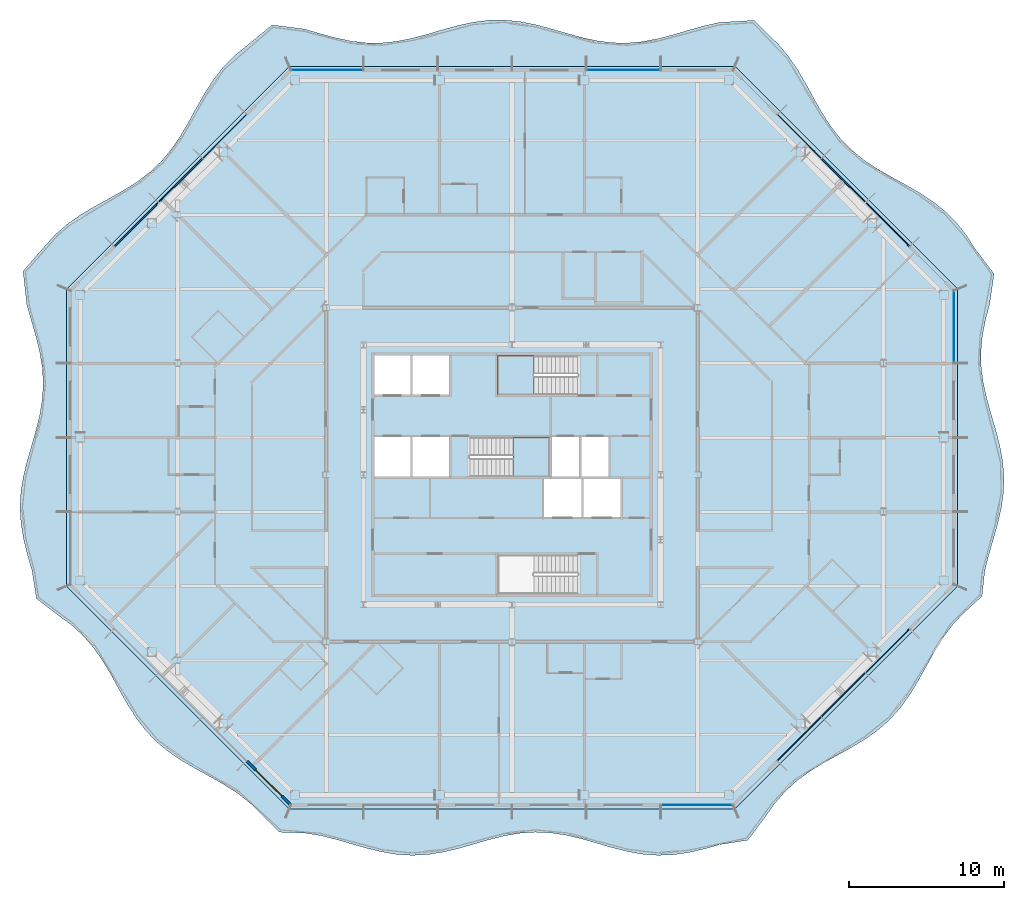
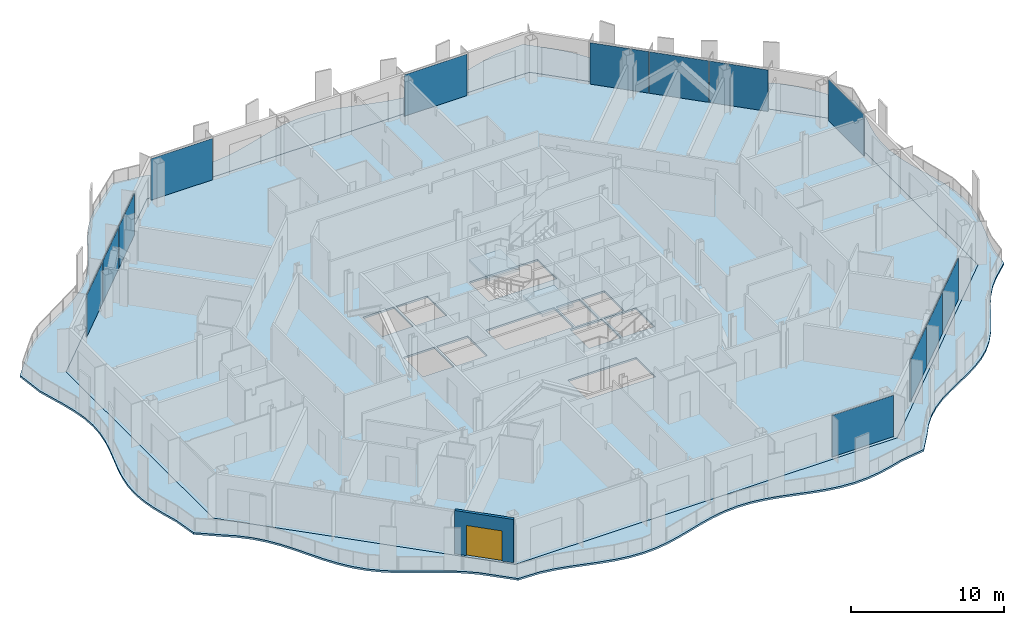
# One storey, part 6 of 21: 13 plates, 4 slabs, 1 door, 1 wall, 1 opening, 8 elements without a shape of their own.
"""IFC4 building model written with IfcOpenShell, lengths in metres."""

from ifc_helpers import new_model, si_unit, direction, frame, frame_2d, origin, origin_2d, place, context, subcontext, project, spatial, polyline, rectangle, outline, extrude, material, layer, layer_set, type_object, element, fill, aggregate, save


model = new_model("IFC4")

# Units and contexts
model_context = context("Model", 3, precision=1e-05, world=origin(), true_north=direction((0.0, 1.0)))
body_context = subcontext(model_context, "Body", "Model", "MODEL_VIEW")
ifc_project = project(units=[si_unit("LENGTHUNIT", "METRE"), si_unit("AREAUNIT", "SQUARE_METRE"), si_unit("VOLUMEUNIT", "CUBIC_METRE"), si_unit("PLANEANGLEUNIT", "RADIAN"), si_unit("MASSUNIT", "GRAM", prefix="KILO")], contexts=[model_context])

# Site, building, storey
site_placement = place(None, origin())
site = spatial("IfcSite", under=ifc_project, at=site_placement, CompositionType="ELEMENT")
building_placement = place(site_placement, origin())
building = spatial("IfcBuilding", under=site, at=building_placement, Name="Cairn Pilgrim Tower", CompositionType="ELEMENT")
storey_placement = place(building_placement, frame((0.0, 0.0, 154.199951171875)))
storey = spatial("IfcBuildingStorey", under=building, at=storey_placement, Name="L38", CompositionType="ELEMENT", Elevation=154.199951171875)

# Slabs
ifc_material_1 = material(Name="Concrete C35/45", Category="concrete")
ifc_layer_1 = layer(ifc_material_1, 0.14990234375)
ifc_layer_set_1 = layer_set([ifc_layer_1], Name="BALCONY SLAB 150 CONCRETE C35/45")
slab_type_1 = type_object("IfcSlabType", Name="BALCONY SLAB 150 CONCRETE C35/45", PredefinedType="FLOOR", material=ifc_layer_set_1)
slab_1_placement = place(storey_placement, frame((0.0, 0.0, -0.14990234375)))
element("IfcSlab", 1, at=slab_1_placement, inside=storey, type_object=slab_type_1, Name="Balcony slab BS-1", PredefinedType="FLOOR", context=body_context, shape_type="SweptSolid", body=[
    extrude(outline(polyline([(-8.988525390625, -19.548583984375), (-7.8212890625, -20.699951171875), (-6.206787109375, -20.75634765625), (-5.2138671875, -20.916748046875), (-4.220703125, -21.157470703125), (-3.2275390625, -21.44189453125), (-2.234375, -21.7275390625), (-1.241455078125, -21.9716796875), (-0.248291015625, -22.137451171875), (0.744873046875, -22.19970703125), (1.738037109375, -22.149658203125), (2.73095703125, -21.994384765625), (3.72412109375, -21.757568359375), (4.71728515625, -21.474365234375), (5.71044921875, -21.1875), (6.703369140625, -20.940185546875), (7.696533203125, -20.769287109375), (8.689697265625, -20.70068359375), (9.682861328125, -20.74462890625), (10.67578125, -20.89453125), (11.6689453125, -21.127685546875), (12.662109375, -21.409423828125), (13.6552734375, -21.697265625), (14.648193359375, -21.94775390625), (15.641357421875, -22.123779296875), (16.634521484375, -22.198486328125), (17.627685546875, -22.16064453125), (18.62060546875, -22.016357421875), (19.61376953125, -21.786865234375), (20.60693359375, -21.5068359375), (22.43603515625, -21.21826171875), (23.563720703125, -19.7236328125), (24.155029296875, -18.875), (24.821533203125, -18.1015625), (25.571533203125, -17.41162109375), (26.400390625, -16.80029296875), (27.290771484375, -16.250732421875), (28.2158203125, -15.73583984375), (29.1435546875, -15.223388671875), (30.040771484375, -14.6806640625), (30.879638671875, -14.07958984375), (31.641357421875, -13.4013671875), (32.3193359375, -12.639404296875), (32.92041015625, -11.800537109375), (33.46337890625, -10.9033203125), (33.9755859375, -9.9755859375), (34.490478515625, -9.050537109375), (35.0400390625, -8.16015625), (35.6513671875, -7.33154296875), (36.341552734375, -6.58154296875), (37.5771484375, -5.453369140625), (37.75732421875, -3.78955078125), (38.01416015625, -2.779052734375), (38.307861328125, -1.768310546875), (38.59228515625, -0.7578125), (38.823486328125, 0.252685546875), (38.9658203125, 1.26318359375), (38.996826171875, 2.273681640625), (38.91162109375, 3.2841796875), (38.7236328125, 4.294677734375), (38.462158203125, 5.30517578125), (38.16748046875, 6.315673828125), (37.8857421875, 7.326416015625), (37.66064453125, 8.3369140625), (37.527099609375, 9.347412109375), (37.506103515625, 10.35791015625), (37.600341796875, 11.368408203125), (37.7958984375, 12.37890625), (38.061767578125, 13.389404296875), (38.35693359375, 15.376220703125), (37.14501953125, 16.985107421875), (36.580078125, 17.860107421875), (35.947509765625, 18.66748046875), (35.2333984375, 19.3935546875), (34.43701171875, 20.036865234375), (33.570068359375, 20.610107421875), (32.656005859375, 21.135986328125), (31.725341796875, 21.645263671875), (30.811279296875, 22.17138671875), (29.944580078125, 22.74462890625), (29.1484375, 23.388427734375), (28.4345703125, 24.114501953125), (27.80224609375, 24.922119140625), (27.237548828125, 25.79736328125), (26.7158203125, 26.7158203125), (26.206298828125, 27.646240234375), (25.675048828125, 28.55517578125), (25.093017578125, 29.4130859375), (24.43798828125, 30.197998046875), (22.830078125, 31.76953125), (20.60693359375, 31.634765625), (19.61376953125, 31.412353515625), (18.62060546875, 31.135498046875), (17.627685546875, 30.845947265625), (16.634521484375, 30.5869140625), (15.641357421875, 30.3974609375), (14.648193359375, 30.305908203125), (13.6552734375, 30.326171875), (12.662109375, 30.455078125), (11.6689453125, 30.67333984375), (10.67578125, 30.9482421875), (9.682861328125, 31.23828125), (8.689697265625, 31.500244140625), (7.696533203125, 31.694580078125), (6.703369140625, 31.7919921875), (5.71044921875, 31.77783203125), (4.71728515625, 31.654541015625), (3.72412109375, 31.440673828125), (2.73095703125, 31.167724609375), (1.738037109375, 30.87744140625), (0.744873046875, 30.61279296875), (-0.248291015625, 30.4140625), (-1.241455078125, 30.310546875), (-2.234375, 30.318359375), (-3.2275390625, 30.435791015625), (-4.220703125, 30.645751953125), (-5.2138671875, 30.916259765625), (-6.206787109375, 31.206787109375), (-8.3076171875, 31.473876953125), (-9.957275390625, 30.117431640625), (-10.753662109375, 29.4736328125), (-11.467529296875, 28.747314453125), (-12.099853515625, 27.939697265625), (-12.66455078125, 27.064453125), (-13.18603515625, 26.14599609375), (-13.69580078125, 25.215576171875), (-14.226806640625, 24.306640625), (-14.808837890625, 23.448974609375), (-15.464111328125, 22.6640625), (-16.202392578125, 21.96240234375), (-17.020751953125, 21.3408203125), (-17.904052734375, 20.783935546875), (-18.826171875, 20.26611328125), (-19.75537109375, 19.75537109375), (-20.65869140625, 19.21875), (-21.507080078125, 18.627197265625), (-22.280517578125, 17.96044921875), (-22.97021484375, 17.210205078125), (-24.40185546875, 15.560546875), (-24.162841796875, 13.389404296875), (-23.875, 12.37890625), (-23.583251953125, 11.368408203125), (-23.333251953125, 10.35791015625), (-23.163330078125, 9.347412109375), (-23.10009765625, 8.3369140625), (-23.153564453125, 7.326416015625), (-23.315185546875, 6.315673828125), (-23.559814453125, 5.30517578125), (-23.849853515625, 4.294677734375), (-24.1396484375, 3.2841796875), (-24.384521484375, 2.273681640625), (-24.54638671875, 1.26318359375), (-24.599853515625, 0.252685546875), (-24.536865234375, -0.7578125), (-24.3671875, -1.768310546875), (-24.116943359375, -2.779052734375), (-23.825439453125, -3.78955078125), (-23.53759765625, -5.6025390625), (-22.079833984375, -6.7197265625), (-21.251220703125, -7.331298828125), (-20.50146484375, -8.021484375), (-19.83544921875, -8.79541015625), (-19.244140625, -9.644287109375), (-18.707763671875, -10.5478515625), (-18.197021484375, -11.47705078125), (-17.67919921875, -12.399169921875), (-17.1220703125, -13.281982421875), (-16.5, -14.10009765625), (-15.7978515625, -14.837890625), (-15.012451171875, -15.492431640625), (-14.154296875, -16.07421875), (-13.2451171875, -16.60498046875), (-12.314697265625, -17.11474609375), (-11.396484375, -17.636474609375), (-10.521484375, -18.201416015625), (-9.71435546875, -18.834228515625), (-8.988525390625, -19.548583984375)]), holes=[polyline([(21.60009765625, -19.199951171875), (-7.199951171875, -19.199951171875), (-21.60009765625, -4.800048828125), (-21.60009765625, 14.39990234375), (-7.199951171875, 28.800048828125), (21.60009765625, 28.800048828125), (36.0, 14.39990234375), (36.0, -4.800048828125), (21.60009765625, -19.199951171875)])]), origin(), (0.0, 0.0, 1.0), 0.14990234375),
])
ifc_layer_2 = layer(ifc_material_1, 0.14990234375)
ifc_layer_set_2 = layer_set([ifc_layer_2], Name="COMPOSITE FLOOR SLAB 150")
slab_type_2 = type_object("IfcSlabType", Name="COMPOSITE FLOOR SLAB 150", PredefinedType="FLOOR", material=ifc_layer_set_2)
slab_2_placement = place(storey_placement, frame((0.0, 0.0, -0.14990234375)))
element("IfcSlab", 2, at=slab_2_placement, inside=storey, type_object=slab_type_2, Name="FLOOR SLAB L38", PredefinedType="FLOOR", context=body_context, shape_type="SweptSolid", body=[
    extrude(outline(polyline([(-7.199951171875, -19.199951171875), (21.60009765625, -19.199951171875), (36.0, -4.800048828125), (36.0, 14.39990234375), (21.60009765625, 28.800048828125), (-7.199951171875, 28.800048828125), (-21.60009765625, 14.39990234375), (-21.60009765625, -4.800048828125), (-7.199951171875, -19.199951171875)]), holes=[polyline([(9.27490234375, -0.324951171875), (11.675048828125, -0.324951171875), (11.675048828125, 2.125), (9.27490234375, 2.125), (9.27490234375, -0.324951171875)]), polyline([(11.824951171875, -0.324951171875), (14.22509765625, -0.324951171875), (14.22509765625, 2.125), (11.824951171875, 2.125), (11.824951171875, -0.324951171875)]), polyline([(-1.72509765625, 2.27490234375), (0.625, 2.27490234375), (0.625, 4.824951171875), (-1.72509765625, 4.824951171875), (-1.72509765625, 2.27490234375)]), polyline([(0.77490234375, 2.27490234375), (3.125, 2.27490234375), (3.125, 4.824951171875), (0.77490234375, 4.824951171875), (0.77490234375, 2.27490234375)]), polyline([(-1.72509765625, 7.574951171875), (0.625, 7.574951171875), (0.625, 10.10009765625), (-1.72509765625, 10.10009765625), (-1.72509765625, 7.574951171875)]), polyline([(0.77490234375, 7.574951171875), (3.125, 7.574951171875), (3.125, 10.10009765625), (0.77490234375, 10.10009765625), (0.77490234375, 7.574951171875)]), polyline([(9.77490234375, 2.27490234375), (11.52490234375, 2.27490234375), (11.52490234375, 4.824951171875), (9.77490234375, 4.824951171875), (9.77490234375, 2.27490234375)]), polyline([(11.675048828125, 2.27490234375), (13.425048828125, 2.27490234375), (13.425048828125, 4.824951171875), (11.675048828125, 4.824951171875), (11.675048828125, 2.27490234375)]), polyline([(11.424560546875, -2.77490234375), (6.27490234375, -2.77490234375), (6.27490234375, -5.300048828125), (11.424560546875, -5.300048828125), (11.424560546875, -2.77490234375)]), polyline([(4.4755859375, 2.27490234375), (9.625, 2.27490234375), (9.625, 4.824951171875), (4.4755859375, 4.824951171875), (4.4755859375, 2.27490234375)]), polyline([(11.424560546875, 10.10009765625), (6.27490234375, 10.10009765625), (6.27490234375, 7.574951171875), (11.424560546875, 7.574951171875), (11.424560546875, 10.10009765625)])]), origin(), (0.0, 0.0, 1.0), 0.14990234375),
])

# Curtain wall, plates
ifc_material_2 = material(Name="Aluminium alloy 6063-T6 bronze anodised with Bronze tinted laminated low-E glass 8+16+8.8", Category="aluminium")
curtain_wall_type_1 = type_object("IfcCurtainWallType", Name="CHAMFER CORNER CURTAIN WALL", PredefinedType="NOTDEFINED", material=ifc_material_2)
curtain_wall_1_placement = place(storey_placement, origin())
curtain_wall_1 = element("IfcCurtainWall", 3, at=curtain_wall_1_placement, inside=storey, type_object=curtain_wall_type_1, Name="Chamfer Corner Curtain Wall SE", PredefinedType="NOTDEFINED")
ifc_material_3 = material(Name="Bronze anodised aluminium spandrel panel with mineral wool insulation", Category="aluminium")
ifc_layer_3 = layer(ifc_material_3, 0.06005859375)
ifc_layer_set_3 = layer_set([ifc_layer_3], Name="SPANDREL PANEL 3972x3300")
plate_type_1 = type_object("IfcPlateType", Name="SPANDREL PANEL 3972x3300", PredefinedType="CURTAIN_PANEL", material=ifc_layer_set_3)
plate_1_placement = place(storey_placement, frame((25.7724609375, -14.673828125, 0.0), z_axis=(0.0, 0.0, 1.0), x_axis=(0.707106781187, 0.707106781187, 0.0)))
plate_1 = element("IfcPlate", 4, at=plate_1_placement, type_object=plate_type_1, Name="Spandrel Panel SE2-1", PredefinedType="CURTAIN_PANEL", context=body_context, shape_type="SweptSolid", body=[
    extrude(rectangle(XDim=3.971435546875, YDim=0.06005859375, at=origin_2d()), origin(), (0.0, 0.0, 1.0), 3.300048828125),
])
plate_2_placement = place(storey_placement, frame((28.623291015625, -11.8232421875, 0.0), z_axis=(0.0, 0.0, 1.0), x_axis=(0.707106781187, 0.707106781187, 0.0)))
plate_2 = element("IfcPlate", 5, at=plate_2_placement, type_object=plate_type_1, Name="Spandrel Panel SE3-1", PredefinedType="CURTAIN_PANEL", context=body_context, shape_type="SweptSolid", body=[
    extrude(rectangle(XDim=3.971435546875, YDim=0.06005859375, at=origin_2d()), origin(), (0.0, 0.0, 1.0), 3.300048828125),
])
plate_3_placement = place(storey_placement, frame((31.473876953125, -8.972412109375, 0.0), z_axis=(0.0, 0.0, 1.0), x_axis=(0.707106781187, 0.707106781187, 0.0)))
plate_3 = element("IfcPlate", 6, at=plate_3_placement, type_object=plate_type_1, Name="Spandrel Panel SE4-1", PredefinedType="CURTAIN_PANEL", context=body_context, shape_type="SweptSolid", body=[
    extrude(rectangle(XDim=3.971435546875, YDim=0.06005859375, at=origin_2d()), origin(), (0.0, 0.0, 1.0), 3.300048828125),
])
aggregate(curtain_wall_1, [plate_1, plate_2, plate_3])

curtain_wall_2_placement = place(storey_placement, origin())
curtain_wall_2 = element("IfcCurtainWall", 7, at=curtain_wall_2_placement, inside=storey, type_object=curtain_wall_type_1, Name="Chamfer Corner Curtain Wall NE", PredefinedType="NOTDEFINED")
plate_4_placement = place(storey_placement, frame((31.473876953125, 18.572509765625, 0.0), z_axis=(0.0, 0.0, 1.0), x_axis=(-0.707106781187, 0.707106781187, 0.0)))
plate_4 = element("IfcPlate", 8, at=plate_4_placement, type_object=plate_type_1, Name="Spandrel Panel NE2-1", PredefinedType="CURTAIN_PANEL", context=body_context, shape_type="SweptSolid", body=[
    extrude(rectangle(XDim=3.971435546875, YDim=0.06005859375, at=origin_2d()), origin(), (0.0, 0.0, 1.0), 3.300048828125),
])
plate_5_placement = place(storey_placement, frame((28.623291015625, 21.42333984375, 0.0), z_axis=(0.0, 0.0, 1.0), x_axis=(-0.707106781187, 0.707106781187, 0.0)))
plate_5 = element("IfcPlate", 9, at=plate_5_placement, type_object=plate_type_1, Name="Spandrel Panel NE3-1", PredefinedType="CURTAIN_PANEL", context=body_context, shape_type="SweptSolid", body=[
    extrude(rectangle(XDim=3.971435546875, YDim=0.06005859375, at=origin_2d()), origin(), (0.0, 0.0, 1.0), 3.300048828125),
])
plate_6_placement = place(storey_placement, frame((25.7724609375, 24.27392578125, 0.0), z_axis=(0.0, 0.0, 1.0), x_axis=(-0.707106781187, 0.707106781187, 0.0)))
plate_6 = element("IfcPlate", 10, at=plate_6_placement, type_object=plate_type_1, Name="Spandrel Panel NE4-1", PredefinedType="CURTAIN_PANEL", context=body_context, shape_type="SweptSolid", body=[
    extrude(rectangle(XDim=3.971435546875, YDim=0.06005859375, at=origin_2d()), origin(), (0.0, 0.0, 1.0), 3.300048828125),
])
aggregate(curtain_wall_2, [plate_4, plate_5, plate_6])

curtain_wall_3_placement = place(storey_placement, origin())
curtain_wall_3 = element("IfcCurtainWall", 11, at=curtain_wall_3_placement, inside=storey, type_object=curtain_wall_type_1, Name="Chamfer Corner Curtain Wall NW", PredefinedType="NOTDEFINED")
plate_7_placement = place(storey_placement, frame((-11.37255859375, 24.27392578125, 0.0), z_axis=(0.0, 0.0, 1.0), x_axis=(-0.707106781187, -0.707106781187, 0.0)))
plate_7 = element("IfcPlate", 12, at=plate_7_placement, type_object=plate_type_1, Name="Spandrel Panel NW2-1", PredefinedType="CURTAIN_PANEL", context=body_context, shape_type="SweptSolid", body=[
    extrude(rectangle(XDim=3.971435546875, YDim=0.06005859375, at=origin_2d()), origin(), (0.0, 0.0, 1.0), 3.300048828125),
])
plate_8_placement = place(storey_placement, frame((-14.22314453125, 21.42333984375, 0.0), z_axis=(0.0, 0.0, 1.0), x_axis=(-0.707106781187, -0.707106781187, 0.0)))
plate_8 = element("IfcPlate", 13, at=plate_8_placement, type_object=plate_type_1, Name="Spandrel Panel NW3-1", PredefinedType="CURTAIN_PANEL", context=body_context, shape_type="SweptSolid", body=[
    extrude(rectangle(XDim=3.971435546875, YDim=0.06005859375, at=origin_2d()), origin(), (0.0, 0.0, 1.0), 3.300048828125),
])
plate_9_placement = place(storey_placement, frame((-17.073974609375, 18.572509765625, 0.0), z_axis=(0.0, 0.0, 1.0), x_axis=(-0.707106781187, -0.707106781187, 0.0)))
plate_9 = element("IfcPlate", 14, at=plate_9_placement, type_object=plate_type_1, Name="Spandrel Panel NW4-1", PredefinedType="CURTAIN_PANEL", context=body_context, shape_type="SweptSolid", body=[
    extrude(rectangle(XDim=3.971435546875, YDim=0.06005859375, at=origin_2d()), origin(), (0.0, 0.0, 1.0), 3.300048828125),
])
aggregate(curtain_wall_3, [plate_7, plate_8, plate_9])

# Stair, slab
ifc_material_4 = material(Name="Concrete C32/40", Category="concrete")
stair_type = type_object("IfcStairType", Name="EXIT STAIR 1200", PredefinedType="HALF_TURN_STAIR", material=ifc_material_4)
stair_1_placement = place(storey_placement, origin())
stair_1 = element("IfcStair", 15, at=stair_1_placement, inside=storey, type_object=stair_type, Name="L38 Exit Stair B", PredefinedType="HALF_TURN_STAIR")
ifc_layer_4 = layer(ifc_material_4, 0.199951171875)
ifc_layer_set_4 = layer_set([ifc_layer_4], Name="STAIR LANDING 200")
slab_type_3 = type_object("IfcSlabType", Name="STAIR LANDING 200", PredefinedType="LANDING", material=ifc_layer_set_4)
slab_3_placement = place(storey_placement, frame((0.0, 0.0, 1.60009765625)))
slab_3 = element("IfcSlab", 16, at=slab_3_placement, type_object=slab_type_3, Name="ST-B landing 1", PredefinedType="LANDING", context=body_context, shape_type="SweptSolid", body=[
    extrude(outline(polyline([(7.27490234375, 2.27490234375), (9.625, 2.27490234375), (9.625, 4.824951171875), (7.27490234375, 4.824951171875), (7.27490234375, 2.27490234375)])), origin(), (0.0, 0.0, 1.0), 0.199951171875),
])
aggregate(stair_1, [slab_3])

stair_2_placement = place(storey_placement, origin())
stair_2 = element("IfcStair", 17, at=stair_2_placement, inside=storey, type_object=stair_type, Name="L38 Exit Stair C", PredefinedType="HALF_TURN_STAIR")
slab_4_placement = place(storey_placement, frame((0.0, 0.0, 1.60009765625)))
slab_4 = element("IfcSlab", 18, at=slab_4_placement, type_object=slab_type_3, Name="ST-C landing 1", PredefinedType="LANDING", context=body_context, shape_type="SweptSolid", body=[
    extrude(outline(polyline([(8.625, 10.10009765625), (6.27490234375, 10.10009765625), (6.27490234375, 7.574951171875), (8.625, 7.574951171875), (8.625, 10.10009765625)])), origin(), (0.0, 0.0, 1.0), 0.199951171875),
])
aggregate(stair_2, [slab_4])

# Curtain wall, plate
curtain_wall_type_2 = type_object("IfcCurtainWallType", Name="TOWER STICK CURTAIN WALL NS", PredefinedType="NOTDEFINED", material=ifc_material_2)
curtain_wall_4_placement = place(storey_placement, origin())
curtain_wall_4 = element("IfcCurtainWall", 19, at=curtain_wall_4_placement, inside=storey, type_object=curtain_wall_type_2, Name="Tower Stick Curtain Wall Ns S", PredefinedType="NOTDEFINED")
ifc_material_5 = material(Name="Bronze tinted laminated low-E glass 8+16+8.8", Category="glass")
ifc_layer_5 = layer(ifc_material_5, 0.033935546875)
ifc_layer_set_5 = layer_set([ifc_layer_5], Name="VISION GLAZING 4626x3300")
plate_type_2 = type_object("IfcPlateType", Name="VISION GLAZING 4626x3300", PredefinedType="CURTAIN_PANEL", material=ifc_layer_set_5)
plate_10_placement = place(storey_placement, frame((19.143310546875, -18.949951171875, 0.0), z_axis=(0.0, 0.0, 1.0), x_axis=(1.0, 0.0, 0.0)))
plate_10 = element("IfcPlate", 20, at=plate_10_placement, type_object=plate_type_2, Name="Vision Glazing S6-1", PredefinedType="CURTAIN_PANEL", context=body_context, shape_type="SweptSolid", body=[
    extrude(rectangle(XDim=4.62646484375, YDim=0.033935546875, at=origin_2d()), origin(), (0.0, 0.0, 1.0), 3.300048828125),
])
aggregate(curtain_wall_4, [plate_10])

curtain_wall_type_3 = type_object("IfcCurtainWallType", Name="TOWER STICK CURTAIN WALL EW", PredefinedType="NOTDEFINED", material=ifc_material_2)
curtain_wall_5_placement = place(storey_placement, origin())
curtain_wall_5 = element("IfcCurtainWall", 21, at=curtain_wall_5_placement, inside=storey, type_object=curtain_wall_type_3, Name="Tower Stick Curtain Wall Ew E", PredefinedType="NOTDEFINED")
plate_11_placement = place(storey_placement, frame((35.75, 11.943115234375, 0.0), z_axis=(0.0, 0.0, 1.0), x_axis=(0.0, 1.0, 0.0)))
plate_11 = element("IfcPlate", 22, at=plate_11_placement, type_object=plate_type_2, Name="Vision Glazing E4-1", PredefinedType="CURTAIN_PANEL", context=body_context, shape_type="SweptSolid", body=[
    extrude(rectangle(XDim=4.62646484375, YDim=0.033935546875, at=origin_2d()), origin(), (0.0, 0.0, 1.0), 3.300048828125),
])
aggregate(curtain_wall_5, [plate_11])

# Curtain wall, plates
curtain_wall_6_placement = place(storey_placement, origin())
curtain_wall_6 = element("IfcCurtainWall", 23, at=curtain_wall_6_placement, inside=storey, type_object=curtain_wall_type_2, Name="Tower Stick Curtain Wall Ns N", PredefinedType="NOTDEFINED")
plate_12_placement = place(storey_placement, frame((-4.7431640625, 28.550048828125, 0.0), z_axis=(0.0, 0.0, 1.0), x_axis=(-1.0, 0.0, 0.0)))
plate_12 = element("IfcPlate", 24, at=plate_12_placement, type_object=plate_type_2, Name="Vision Glazing N6-1", PredefinedType="CURTAIN_PANEL", context=body_context, shape_type="SweptSolid", body=[
    extrude(rectangle(XDim=4.62646484375, YDim=0.033935546875, at=origin_2d()), origin(), (0.0, 0.0, 1.0), 3.300048828125),
])
ifc_layer_6 = layer(ifc_material_5, 0.033935546875)
ifc_layer_set_6 = layer_set([ifc_layer_6], Name="VISION GLAZING 4740x3300")
plate_type_3 = type_object("IfcPlateType", Name="VISION GLAZING 4740x3300", PredefinedType="CURTAIN_PANEL", material=ifc_layer_set_6)
plate_13_placement = place(storey_placement, frame((14.39990234375, 28.550048828125, 0.0), z_axis=(0.0, 0.0, 1.0), x_axis=(-1.0, 0.0, 0.0)))
plate_13 = element("IfcPlate", 25, at=plate_13_placement, type_object=plate_type_3, Name="Vision Glazing N2-1", PredefinedType="CURTAIN_PANEL", context=body_context, shape_type="SweptSolid", body=[
    extrude(rectangle(XDim=4.739990234375, YDim=0.033935546875, at=origin_2d()), origin(), (0.0, 0.0, 1.0), 3.300048828125),
])
aggregate(curtain_wall_6, [plate_13, plate_12])

# Wall, opening, door
ifc_material_6 = material(Name="Bronze anodised aluminium insulated sandwich panel with mineral wool fill", Category="aluminium")
ifc_layer_7 = layer(ifc_material_6, 0.199951171875)
ifc_layer_set_7 = layer_set([ifc_layer_7], Name="BRONZE INFILL FRAME WALL 200")
wall_type = type_object("IfcWallType", Name="BRONZE INFILL FRAME WALL 200", PredefinedType="NOTDEFINED", material=ifc_layer_set_7)
wall_placement = place(storey_placement, frame((-9.926025390625, -16.12060546875, 0.0), z_axis=(0.0, 0.0, 1.0), x_axis=(0.707137595296, -0.707075965734, 0.0)))
wall = element("IfcWall", 26, at=wall_placement, inside=storey, type_object=wall_type, Name="Bronze infill frame wall IW-SW5", PredefinedType="NOTDEFINED", context=body_context, shape_type="SweptSolid", body=[
    extrude(rectangle(XDim=3.96142578125, YDim=0.199951171875, at=frame_2d((1.980712890625, 0.0))), origin(), (0.0, 0.0, 1.0), 3.449951171875),
])
opening_placement = place(wall_placement, frame((0.785400390625, 0.0, 0.0)))
opening = element("IfcOpeningElement", 27, at=opening_placement, cuts=wall, Name="Opening 3819B2", PredefinedType="OPENING", context=body_context, shape_type="SweptSolid", body=[
    extrude(rectangle(XDim=2.39990234375, YDim=2.39990234375, at=frame_2d((1.199951171875, 1.199951171875))), frame((0.0, 0.10986328125, 0.0), z_axis=(0.0, -1.0, 0.0), x_axis=(1.0, 0.0, 0.0)), (0.0, 0.0, 1.0), 0.219970703125),
])
ifc_material_7 = material(Name="Bronze anodised aluminium frame with tinted low-E glass", Category="aluminium")
door_type = type_object("IfcDoorType", Name="BALCONY SLIDING DOOR 2400x2400", OperationType="DOUBLE_DOOR_SLIDING", PredefinedType="DOOR", material=ifc_material_7)
door_placement = place(opening_placement, origin())
door = element("IfcDoor", 28, at=door_placement, inside=storey, type_object=door_type, Name="Balcony sliding door 3819B2", OperationType="SINGLE_SWING_LEFT", OverallHeight=2.39990234375, OverallWidth=2.39990234375, PredefinedType="DOOR", context=body_context, shape_type="SweptSolid", body=[
    extrude(rectangle(XDim=2.39990234375, YDim=2.39990234375, at=frame_2d((1.199951171875, 1.199951171875))), frame((0.0, 0.02490234375, 0.0), z_axis=(0.0, -1.0, 0.0), x_axis=(1.0, 0.0, 0.0)), (0.0, 0.0, 1.0), 0.050048828125),
])
fill(opening, door)

save(model, "model.ifc")
